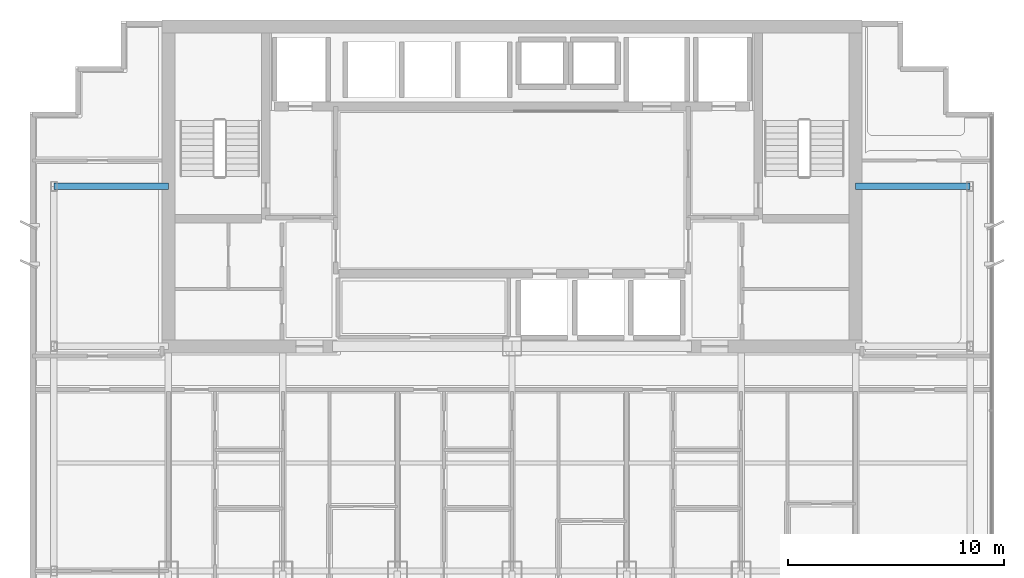
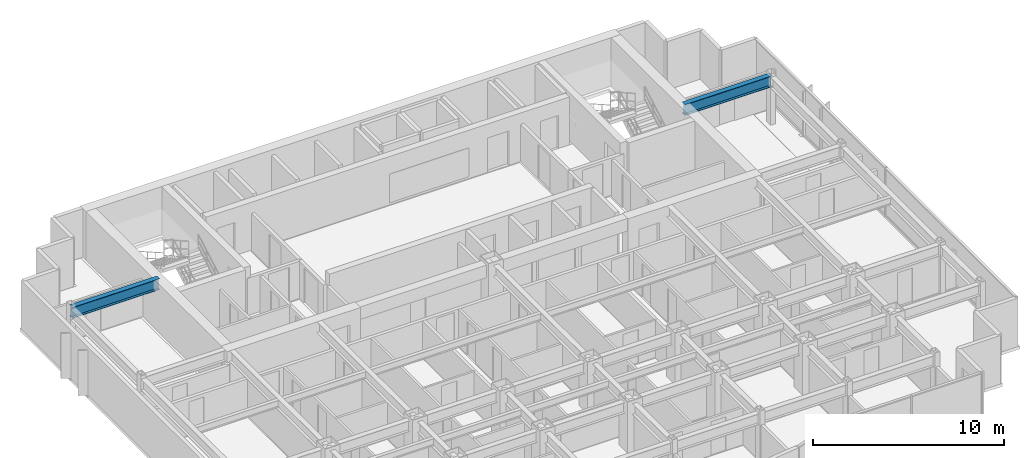
# One storey, part 5 of 13: 2 beams.
"""IFC4 building model written with IfcOpenShell, lengths in metres."""

from ifc_helpers import new_model, si_unit, direction, frame, origin, origin_2d, place, context, subcontext, project, spatial, i_section, extrude, material, material_profile, profile_set, type_object, element, save


model = new_model("IFC4")

# Units and contexts
model_context = context("Model", 3, precision=1e-05, world=origin(), true_north=direction((0.0, 1.0)))
body_context = subcontext(model_context, "Body", "Model", "MODEL_VIEW")
ifc_project = project(units=[si_unit("LENGTHUNIT", "METRE"), si_unit("AREAUNIT", "SQUARE_METRE"), si_unit("VOLUMEUNIT", "CUBIC_METRE"), si_unit("PLANEANGLEUNIT", "RADIAN"), si_unit("MASSUNIT", "GRAM", prefix="KILO")], contexts=[model_context])

# Site, building, storey
site_placement = place(None, origin())
site = spatial("IfcSite", under=ifc_project, at=site_placement, CompositionType="ELEMENT")
building_placement = place(site_placement, origin())
building = spatial("IfcBuilding", under=site, at=building_placement, Name="Qianlan Lanfeng Residences", CompositionType="ELEMENT")
storey_placement = place(building_placement, frame((0.0, 0.0, 159.0)))
storey = spatial("IfcBuildingStorey", under=building, at=storey_placement, Name="L43", CompositionType="ELEMENT", Elevation=159.0)

# Beams
ifc_material = material(Name="Steel SN490B", Category="steel")
ifc_material_profile = material_profile(ifc_material, i_section(OverallWidth=0.300048828125, OverallDepth=0.699951171875, WebThickness=0.012939453125, FlangeThickness=0.02392578125, at=origin_2d()), Name="H 700x300x13x24")
ifc_profile_set = profile_set([ifc_material_profile], Name="Steel SN490B")
beam_type = type_object("IfcBeamType", Name="G-750", PredefinedType="BEAM", material=ifc_profile_set)
for number, where, z_axis, x_axis, name in (
    (1, (5.300048828125, 32.60009765625, 2.75), (1.0, 0.0, 0.0), (0.0, 1.0, 0.0), "Structural beam G-750"),
    (2, (42.39990234375, 32.60009765625, 2.75), (1.0, 0.0, 0.0), (0.0, 1.0, 0.0), "Structural beam G-750"),
):
    element("IfcBeam", number, at=place(storey_placement, frame(where, z_axis=z_axis, x_axis=x_axis)), inside=storey, type_object=beam_type, Name=name, PredefinedType="BEAM", context=body_context, shape_type="SweptSolid", body=[
        extrude(i_section(OverallWidth=0.300048828125, OverallDepth=0.699951171875, WebThickness=0.012939453125, FlangeThickness=0.02392578125, at=origin_2d()), origin(), (0.0, 0.0, 1.0), 5.300048828125),
    ])

save(model, "model.ifc")
